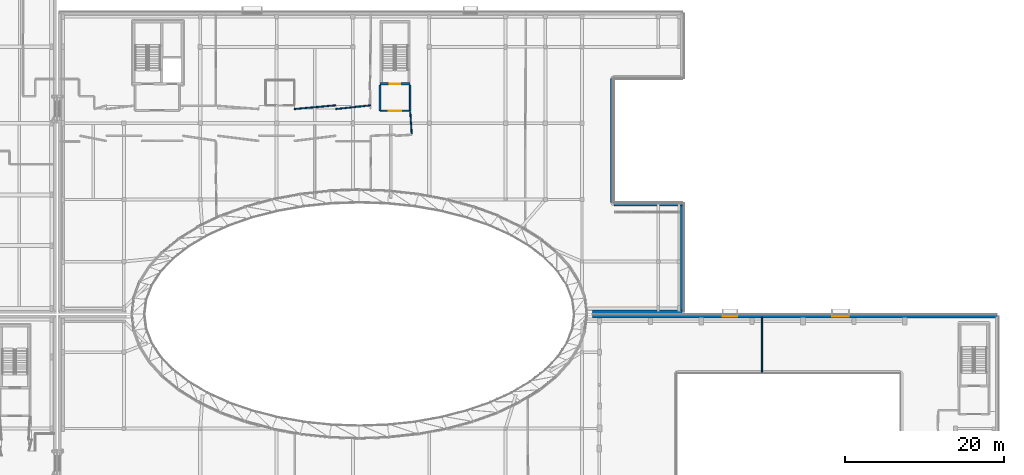
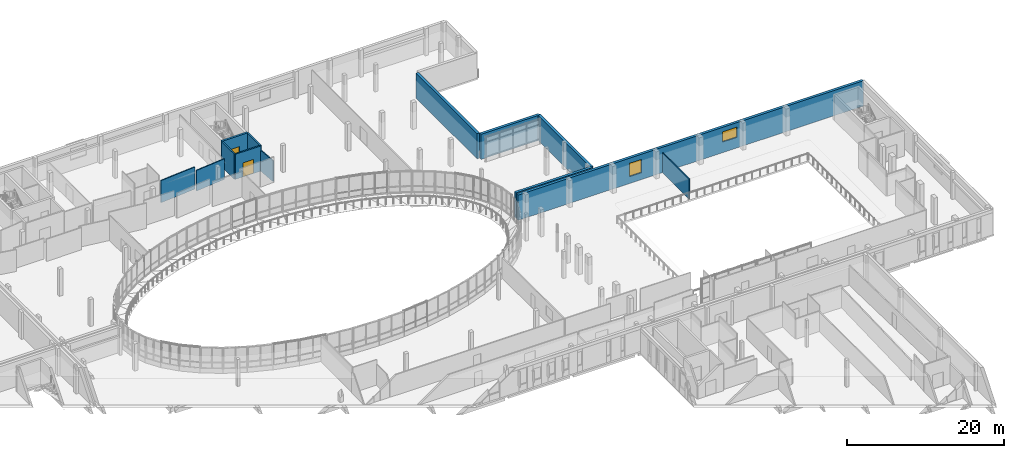
# One storey, part 53 of 84: 13 walls, 2 doors, 2 windows, 4 openings.
"""IFC4 building model written with IfcOpenShell, lengths in metres."""

from ifc_helpers import new_model, si_unit, direction, frame, frame_2d, origin, place, context, subcontext, project, spatial, rectangle, extrude, material, layer, layer_set, type_object, element, fill, save


model = new_model("IFC4")

# Units and contexts
model_context = context("Model", 3, precision=1e-05, world=origin(), true_north=direction((0.0, 1.0)))
body_context = subcontext(model_context, "Body", "Model", "MODEL_VIEW")
ifc_project = project(units=[si_unit("LENGTHUNIT", "METRE"), si_unit("AREAUNIT", "SQUARE_METRE"), si_unit("VOLUMEUNIT", "CUBIC_METRE"), si_unit("PLANEANGLEUNIT", "RADIAN"), si_unit("MASSUNIT", "GRAM", prefix="KILO")], contexts=[model_context])

# Site, building, storey
site_placement = place(None, origin())
site = spatial("IfcSite", under=ifc_project, at=site_placement, CompositionType="ELEMENT")
building_placement = place(site_placement, origin())
building = spatial("IfcBuilding", under=site, at=building_placement, Name="Mzevani Central Library", CompositionType="ELEMENT")
storey_placement = place(building_placement, frame((0.0, 0.0, 5.39990234375)))
storey = spatial("IfcBuildingStorey", under=building, at=storey_placement, Name="L01", CompositionType="ELEMENT", Elevation=5.39990234375)

# Wall
ifc_material_1 = material(Name="Concrete C35/45", Category="concrete")
ifc_layer_1 = layer(ifc_material_1, 0.199951171875, Name="Compartment Wall 200")
ifc_layer_set_1 = layer_set([ifc_layer_1], Name="Concrete C35/45")
wall_type_1 = type_object("IfcWallType", Name="Compartment Wall 200", PredefinedType="STANDARD", material=ifc_layer_set_1)
wall_1_placement = place(storey_placement, frame((86.60009765625, 104.800048828125, 0.0), z_axis=(0.0, 0.0, 1.0), x_axis=(0.0, -1.0, 0.0)))
element("IfcWall", 1, at=wall_1_placement, inside=storey, type_object=wall_type_1, Name="L01 Stair Vestibule C3B Enclosure Wall 1", PredefinedType="STANDARD", context=body_context, shape_type="SweptSolid", body=[
    extrude(rectangle(XDim=3.25, YDim=0.199951171875, at=frame_2d((1.625, 0.0))), origin(), (0.0, 0.0, 1.0), 3.920166015625),
])

# Wall, opening, door
wall_2_placement = place(storey_placement, frame((86.60009765625, 101.550048828125, 0.0), z_axis=(0.0, 0.0, 1.0), x_axis=(1.0, 0.0, 0.0)))
wall_2 = element("IfcWall", 2, at=wall_2_placement, inside=storey, type_object=wall_type_1, Name="L01 Stair Vestibule C3B Enclosure Wall 2", PredefinedType="STANDARD", context=body_context, shape_type="SweptSolid", body=[
    extrude(rectangle(XDim=3.7998046875, YDim=0.199951171875, at=frame_2d((1.89990234375, 0.0))), origin(), (0.0, 0.0, 1.0), 3.920166015625),
])
opening_1_placement = place(wall_2_placement, frame((1.10009765625, 0.0, 0.0)))
opening_1 = element("IfcOpeningElement", 3, at=opening_1_placement, cuts=wall_2, Name="Opening FD-02", PredefinedType="OPENING", context=body_context, shape_type="SweptSolid", body=[
    extrude(rectangle(XDim=1.60009765625, YDim=2.199951171875, at=frame_2d((0.800048828125, 1.10009765625))), frame((0.0, 0.10986328125, 0.0), z_axis=(0.0, -1.0, 0.0), x_axis=(1.0, 0.0, 0.0)), (0.0, 0.0, 1.0), 0.219970703125),
])
ifc_material_2 = material(Name="Fire-rated steel door assembly", Category="steel")
door_type_1 = type_object("IfcDoorType", Name="Fire Lobby Double Door 1600x2200", OperationType="NOTDEFINED", PredefinedType="DOOR", material=ifc_material_2)
door_1_placement = place(opening_1_placement, origin())
door_1 = element("IfcDoor", 4, at=door_1_placement, inside=storey, type_object=door_type_1, Name="L01 Stair Vestibule C3B Smoke-Control Door", OperationType="DOUBLE_DOOR_SINGLE_SWING", OverallHeight=2.199951171875, OverallWidth=1.60009765625, PredefinedType="DOOR", context=body_context, shape_type="SweptSolid", body=[
    extrude(rectangle(XDim=1.60009765625, YDim=2.199951171875, at=frame_2d((0.800048828125, 1.10009765625))), frame((0.0, 0.02490234375, 0.0), z_axis=(0.0, -1.0, 0.0), x_axis=(1.0, 0.0, 0.0)), (0.0, 0.0, 1.0), 0.050048828125),
])
fill(opening_1, door_1)

# Wall
wall_3_placement = place(storey_placement, frame((90.39990234375, 101.550048828125, 0.0), z_axis=(0.0, 0.0, 1.0), x_axis=(0.0, 1.0, 0.0)))
element("IfcWall", 5, at=wall_3_placement, inside=storey, type_object=wall_type_1, Name="L01 Stair Vestibule C3B Enclosure Wall 3", PredefinedType="STANDARD", context=body_context, shape_type="SweptSolid", body=[
    extrude(rectangle(XDim=3.25, YDim=0.199951171875, at=frame_2d((1.625, 0.0))), origin(), (0.0, 0.0, 1.0), 3.920166015625),
])

# Wall, opening, door
ifc_material_3 = material(Name="Concrete C40/50", Category="concrete")
ifc_layer_2 = layer(ifc_material_3, 0.300048828125, Name="Core Shear Wall 300")
ifc_layer_set_2 = layer_set([ifc_layer_2], Name="Concrete C40/50")
wall_type_2 = type_object("IfcWallType", Name="Core Shear Wall 300", PredefinedType="SHEAR", material=ifc_layer_set_2)
wall_4_placement = place(storey_placement, frame((90.39990234375, 104.949951171875, 0.0), z_axis=(0.0, 0.0, 1.0), x_axis=(-1.0, 0.0, 0.0)))
wall_4 = element("IfcWall", 6, at=wall_4_placement, inside=storey, type_object=wall_type_2, Name="L01 Core C3B Atrium East Escape Stair Shear Wall (-y)", PredefinedType="SHEAR", context=body_context, shape_type="SweptSolid", body=[
    extrude(rectangle(XDim=3.7998046875, YDim=0.300048828125, at=frame_2d((1.89990234375, 0.0))), origin(), (0.0, 0.0, 1.0), 3.920166015625),
])
opening_2_placement = place(wall_4_placement, frame((1.25, 0.0, 0.0)))
opening_2 = element("IfcOpeningElement", 7, at=opening_2_placement, cuts=wall_4, Name="Opening FD-01", PredefinedType="OPENING", context=body_context, shape_type="SweptSolid", body=[
    extrude(rectangle(XDim=1.300048828125, YDim=2.199951171875, at=frame_2d((0.64990234375, 1.10009765625))), frame((0.0, 0.16015625, 0.0), z_axis=(0.0, -1.0, 0.0), x_axis=(1.0, 0.0, 0.0)), (0.0, 0.0, 1.0), 0.320068359375),
])
door_type_2 = type_object("IfcDoorType", Name="Fire Stair Door 1300x2200", OperationType="NOTDEFINED", PredefinedType="DOOR", material=ifc_material_2)
door_2_placement = place(opening_2_placement, origin())
door_2 = element("IfcDoor", 8, at=door_2_placement, inside=storey, type_object=door_type_2, Name="L01 ST-06 Protected Exit Stair Door", OperationType="SINGLE_SWING_RIGHT", OverallHeight=2.199951171875, OverallWidth=1.300048828125, PredefinedType="DOOR", context=body_context, shape_type="SweptSolid", body=[
    extrude(rectangle(XDim=1.300048828125, YDim=2.199951171875, at=frame_2d((0.64990234375, 1.10009765625))), frame((0.0, 0.02490234375, 0.0), z_axis=(0.0, -1.0, 0.0), x_axis=(1.0, 0.0, 0.0)), (0.0, 0.0, 1.0), 0.050048828125),
])
fill(opening_2, door_2)

# Wall, openings, windows
ifc_material_4 = material(Name="Precast concrete C40/50", Category="concrete")
ifc_layer_3 = layer(ifc_material_4, 0.3798828125, Name="Exterior Thermal Concrete Wall 380")
ifc_layer_set_3 = layer_set([ifc_layer_3], Name="Precast concrete C40/50")
wall_type_3 = type_object("IfcWallType", Name="Exterior Thermal Concrete Wall 380", PredefinedType="STANDARD", material=ifc_layer_set_3)
wall_5_placement = place(storey_placement, frame((113.322021484375, 75.7099609375, 0.0), z_axis=(0.0, 0.0, 1.0), x_axis=(1.0, 0.0, 0.0)))
wall_5 = element("IfcWall", 9, at=wall_5_placement, inside=storey, type_object=wall_type_3, Name="L01 V1 Exterior Thermal Wall (9)", PredefinedType="STANDARD", context=body_context, shape_type="SweptSolid", body=[
    extrude(rectangle(XDim=50.887939453125, YDim=0.3798828125, at=frame_2d((25.44384765625, 0.0))), origin(), (0.0, 0.0, 1.0), 3.940185546875),
])
opening_3_placement = place(wall_5_placement, frame((16.402099609375, 0.0, 1.050048828125)))
opening_3 = element("IfcOpeningElement", 10, at=opening_3_placement, cuts=wall_5, Name="Opening W-14", PredefinedType="OPENING", context=body_context, shape_type="SweptSolid", body=[
    extrude(rectangle(XDim=1.800048828125, YDim=2.10009765625, at=frame_2d((0.89990234375, 1.050048828125))), frame((0.0, 0.199951171875, 0.0), z_axis=(0.0, -1.0, 0.0), x_axis=(1.0, 0.0, 0.0)), (0.0, 0.0, 1.0), 0.39990234375),
])
opening_4_placement = place(wall_5_placement, frame((30.13623046875, 0.0, 1.64990234375)))
opening_4 = element("IfcOpeningElement", 11, at=opening_4_placement, cuts=wall_5, Name="Opening W-16", PredefinedType="OPENING", context=body_context, shape_type="SweptSolid", body=[
    extrude(rectangle(XDim=2.10009765625, YDim=1.60009765625, at=frame_2d((1.050048828125, 0.800048828125))), frame((0.0, 0.199951171875, 0.0), z_axis=(0.0, -1.0, 0.0), x_axis=(1.0, 0.0, 0.0)), (0.0, 0.0, 1.0), 0.39990234375),
])
ifc_material_5 = material(Name="Low-E triple glazing glass", Category="glass")
window_type_1 = type_object("IfcWindowType", Name="Deep Reveal Window 1800x2100", PartitioningType="SINGLE_PANEL", PredefinedType="WINDOW", material=ifc_material_5)
window_1_placement = place(opening_3_placement, origin())
window_1 = element("IfcWindow", 12, at=window_1_placement, inside=storey, type_object=window_type_1, Name="L01 V1 Deep-Reveal Window W-14 (78)", OverallHeight=2.10009765625, OverallWidth=1.800048828125, PartitioningType="SINGLE_PANEL", PredefinedType="WINDOW", context=body_context, shape_type="SweptSolid", body=[
    extrude(rectangle(XDim=1.800048828125, YDim=2.10009765625, at=frame_2d((0.89990234375, 1.050048828125))), frame((0.0, 0.030029296875, 0.0), z_axis=(0.0, -1.0, 0.0), x_axis=(1.0, 0.0, 0.0)), (0.0, 0.0, 1.0), 0.06005859375),
])
fill(opening_3, window_1)
window_type_2 = type_object("IfcWindowType", Name="Reading Clerestory Window 2100x1600", PartitioningType="SINGLE_PANEL", PredefinedType="WINDOW", material=ifc_material_5)
window_2_placement = place(opening_4_placement, origin())
window_2 = element("IfcWindow", 13, at=window_2_placement, inside=storey, type_object=window_type_2, Name="L01 V1 Deep-Reveal Window W-16 (79)", OverallHeight=1.60009765625, OverallWidth=2.10009765625, PartitioningType="SINGLE_PANEL", PredefinedType="WINDOW", context=body_context, shape_type="SweptSolid", body=[
    extrude(rectangle(XDim=2.10009765625, YDim=1.60009765625, at=frame_2d((1.050048828125, 0.800048828125))), frame((0.0, 0.030029296875, 0.0), z_axis=(0.0, -1.0, 0.0), x_axis=(1.0, 0.0, 0.0)), (0.0, 0.0, 1.0), 0.06005859375),
])
fill(opening_4, window_2)

# Walls
wall_6_placement = place(storey_placement, frame((115.81005859375, 105.60009765625, 0.0), z_axis=(0.0, 0.0, 1.0), x_axis=(0.0, -1.0, 0.0)))
element("IfcWall", 14, at=wall_6_placement, inside=storey, type_object=wall_type_3, Name="L01 V3 Exterior Thermal Wall (48)", PredefinedType="STANDARD", context=body_context, shape_type="SweptSolid", body=[
    extrude(rectangle(XDim=15.60009765625, YDim=0.3798828125, at=frame_2d((7.800048828125, 0.0))), origin(), (0.0, 0.0, 1.0), 3.920166015625),
])
wall_7_placement = place(storey_placement, frame((116.0, 89.81005859375, 0.0), z_axis=(0.0, 0.0, 1.0), x_axis=(1.0, 0.0, 0.0)))
element("IfcWall", 15, at=wall_7_placement, inside=storey, type_object=wall_type_3, Name="L01 V3 Exterior Thermal Wall (49)", PredefinedType="STANDARD", context=body_context, shape_type="SweptSolid", body=[
    extrude(rectangle(XDim=8.610107421875, YDim=0.3798828125, at=frame_2d((4.30517578125, 0.0))), origin(), (0.0, 0.0, 1.0), 3.920166015625),
])
wall_8_placement = place(storey_placement, frame((124.610107421875, 89.81005859375, 0.0), z_axis=(0.0, 0.0, 1.0), x_axis=(0.0, -1.0, 0.0)))
element("IfcWall", 16, at=wall_8_placement, inside=storey, type_object=wall_type_3, Name="L01 V3 Exterior Thermal Wall (50)", PredefinedType="STANDARD", context=body_context, shape_type="SweptSolid", body=[
    extrude(rectangle(XDim=13.52001953125, YDim=0.3798828125, at=frame_2d((6.760009765625, 0.0))), origin(), (0.0, 0.0, 1.0), 3.920166015625),
])
wall_9_placement = place(storey_placement, frame((124.610107421875, 76.2900390625, 0.0), z_axis=(0.0, 0.0, 1.0), x_axis=(-1.0, 0.0, 0.0)))
element("IfcWall", 17, at=wall_9_placement, inside=storey, type_object=wall_type_3, Name="L01 V3 Exterior Thermal Wall (51)", PredefinedType="STANDARD", context=body_context, shape_type="SweptSolid", body=[
    extrude(rectangle(XDim=11.2880859375, YDim=0.3798828125, at=frame_2d((5.64404296875, 0.0))), origin(), (0.0, 0.0, 1.0), 3.920166015625),
])
ifc_material_6 = material(Name="Fire-rated gypsum board", Category="gypsum")
ifc_layer_4 = layer(ifc_material_6, 0.14990234375, Name="Partition Study 150")
ifc_layer_set_4 = layer_set([ifc_layer_4], Name="Fire-rated gypsum board")
wall_type_4 = type_object("IfcWallType", Name="Partition Study 150", PredefinedType="PARTITIONING", material=ifc_layer_set_4)
wall_10_placement = place(storey_placement, frame((134.635009765625, 75.610107421875, 0.0), z_axis=(0.0, 0.0, 1.0), x_axis=(0.0, -1.0, 0.0)))
element("IfcWall", 18, at=wall_10_placement, inside=storey, type_object=wall_type_4, Name="L01 V1 Partition IW-03 (201)", PredefinedType="PARTITIONING", context=body_context, shape_type="SweptSolid", body=[
    extrude(rectangle(XDim=6.91015625, YDim=0.14990234375, at=frame_2d((3.455078125, 0.0))), origin(), (0.0, 0.0, 1.0), 3.1201171875),
])
wall_11_placement = place(storey_placement, frame((85.449951171875, 102.25, 0.0), z_axis=(0.0, 0.0, 1.0), x_axis=(-0.994343750251, -0.106209728068, 0.0)))
element("IfcWall", 19, at=wall_11_placement, inside=storey, type_object=wall_type_4, Name="L01 V3 Partition IW-03 (275)", PredefinedType="PARTITIONING", context=body_context, shape_type="SweptSolid", body=[
    extrude(rectangle(XDim=4.425048828125, YDim=0.14990234375, at=frame_2d((2.21240234375, 0.0))), origin(), (0.0, 0.0, 1.0), 3.2001953125),
])
wall_12_placement = place(storey_placement, frame((81.050048828125, 102.25, 0.0), z_axis=(0.0, 0.0, 1.0), x_axis=(-0.995979339845, -0.089583227231, 0.0)))
element("IfcWall", 20, at=wall_12_placement, inside=storey, type_object=wall_type_4, Name="L01 V3 Partition IW-03 (276)", PredefinedType="PARTITIONING", context=body_context, shape_type="SweptSolid", body=[
    extrude(rectangle(XDim=5.24609375, YDim=0.14990234375, at=frame_2d((2.623046875, 0.0))), origin(), (0.0, 0.0, 1.0), 3.4501953125),
])
wall_13_placement = place(storey_placement, frame((90.59326171875, 98.64990234375, 0.0), z_axis=(0.0, 0.0, 1.0), x_axis=(-0.066461272894, 0.997789005354, 0.0)))
element("IfcWall", 21, at=wall_13_placement, inside=storey, type_object=wall_type_4, Name="L01 V3 Partition IW-03 (286)", PredefinedType="PARTITIONING", context=body_context, shape_type="SweptSolid", body=[
    extrude(rectangle(XDim=2.806396484375, YDim=0.14990234375, at=frame_2d((1.4033203125, 0.0))), origin(), (0.0, 0.0, 1.0), 3.25),
])

save(model, "model.ifc")
